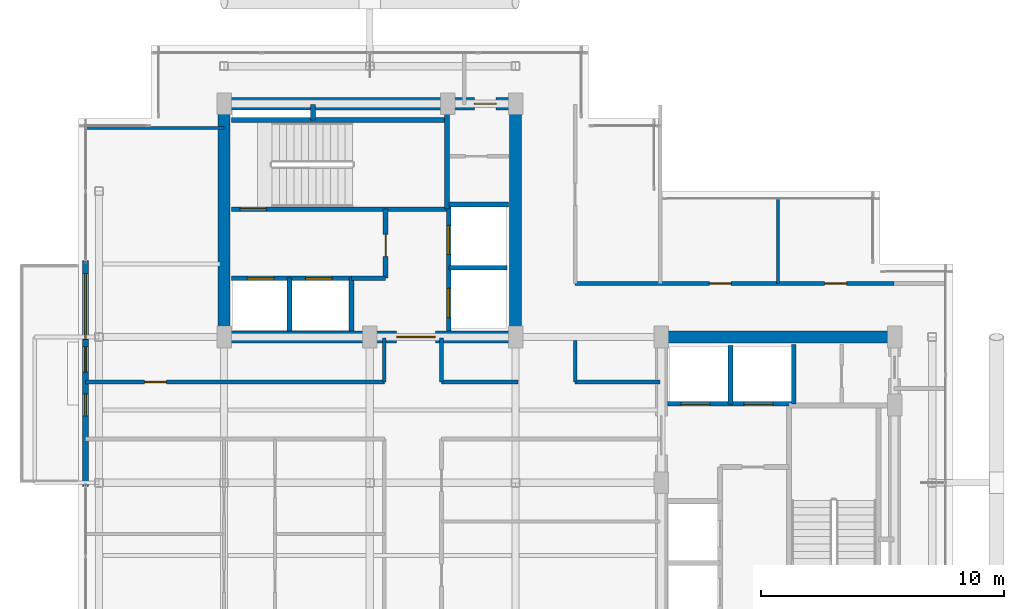
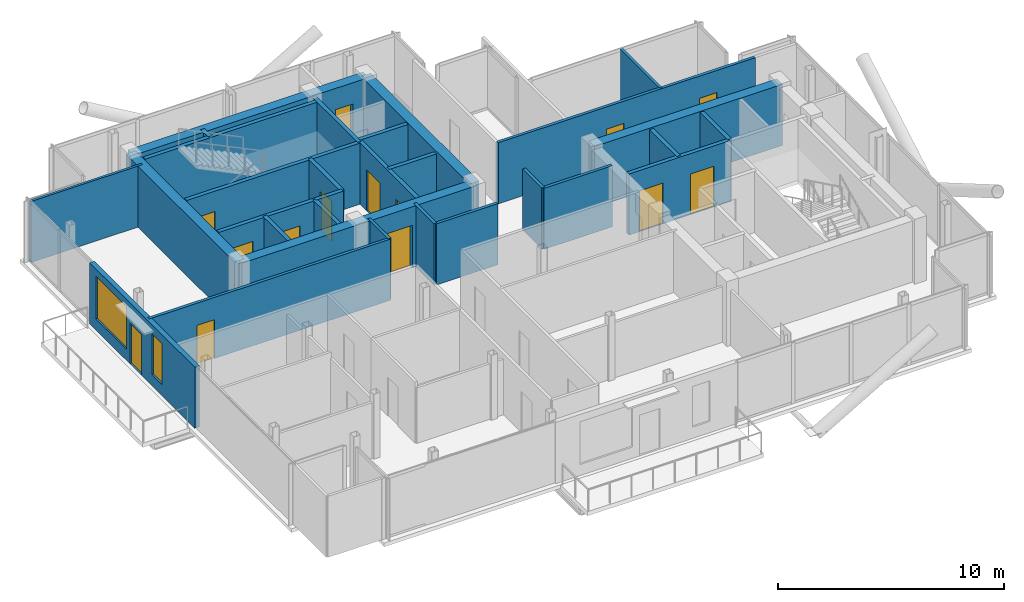
# One storey, part 15 of 18: 30 walls, 14 doors, 2 windows, 16 openings.
"""IFC4 building model written with IfcOpenShell, lengths in metres."""

from ifc_helpers import new_model, si_unit, direction, frame, frame_2d, origin, place, context, subcontext, project, spatial, rectangle, extrude, material, layer, layer_set, type_object, element, fill, save


model = new_model("IFC4")

# Units and contexts
model_context = context("Model", 3, precision=1e-05, world=origin(), true_north=direction((0.0, 1.0)))
body_context = subcontext(model_context, "Body", "Model", "MODEL_VIEW")
ifc_project = project(units=[si_unit("LENGTHUNIT", "METRE"), si_unit("AREAUNIT", "SQUARE_METRE"), si_unit("VOLUMEUNIT", "CUBIC_METRE"), si_unit("PLANEANGLEUNIT", "RADIAN"), si_unit("MASSUNIT", "GRAM", prefix="KILO"), si_unit("THERMODYNAMICTEMPERATUREUNIT", "KELVIN"), si_unit("POWERUNIT", "WATT")], contexts=[model_context])

# Site, building, storey
site_placement = place(None, origin())
site = spatial("IfcSite", under=ifc_project, at=site_placement, CompositionType="ELEMENT")
building_placement = place(site_placement, origin())
building = spatial("IfcBuilding", under=site, at=building_placement, Name="Svarakhadi Broadcast Tower", CompositionType="ELEMENT")
storey_placement = place(building_placement, frame((0.0, 0.0, 267.699951171875)))
storey = spatial("IfcBuildingStorey", under=building, at=storey_placement, Name="L67", CompositionType="ELEMENT", Elevation=267.699951171875)

# Wall, openings, door, windows
ifc_material_1 = material(Name="Concrete C40/50 (IS 456 M50)", Category="concrete")
ifc_layer_1 = layer(ifc_material_1, 0.239990234375)
ifc_layer_set_1 = layer_set([ifc_layer_1], Name="Concrete C40/50 (IS 456 M50)")
wall_type_1 = type_object("IfcWallType", Name="Wall_Ext_240", PredefinedType="SOLIDWALL", material=ifc_layer_set_1)
wall_1_placement = place(storey_placement, frame((0.300048828125, 11.85498046875, 0.0), z_axis=(0.0, 0.0, 1.0), x_axis=(0.0, 1.0, 0.0)))
wall_1 = element("IfcWall", 1, at=wall_1_placement, inside=storey, type_object=wall_type_1, Name="L67 West Tree Balcony Spandrel Wall", PredefinedType="SOLIDWALL", context=body_context, shape_type="SweptSolid", body=[
    extrude(rectangle(XDim=9.2900390625, YDim=0.239990234375, at=frame_2d((4.64501953125, 0.0))), origin(), (0.0, 0.0, 1.0), 3.300048828125),
])
opening_1_placement = place(wall_1_placement, frame((4.699951171875, 0.0, 0.0)))
opening_1 = element("IfcOpeningElement", 2, at=opening_1_placement, cuts=wall_1, Name="Opening ED-06", PredefinedType="OPENING", context=body_context, shape_type="SweptSolid", body=[
    extrude(rectangle(XDim=1.050048828125, YDim=2.199951171875, at=frame_2d((0.52490234375, 1.10009765625))), frame((0.0, 0.1298828125, 0.0), z_axis=(0.0, -1.0, 0.0), x_axis=(1.0, 0.0, 0.0)), (0.0, 0.0, 1.0), 0.260009765625),
])
opening_2_placement = place(wall_1_placement, frame((6.050048828125, 0.0, 0.60009765625)))
opening_2 = element("IfcOpeningElement", 3, at=opening_2_placement, cuts=wall_1, Name="Opening WN-07", PredefinedType="OPENING", context=body_context, shape_type="SweptSolid", body=[
    extrude(rectangle(XDim=2.699951171875, YDim=2.300048828125, at=frame_2d((1.35009765625, 1.14990234375))), frame((0.0, 0.1298828125, 0.0), z_axis=(0.0, -1.0, 0.0), x_axis=(1.0, 0.0, 0.0)), (0.0, 0.0, 1.0), 0.260009765625),
])
opening_3_placement = place(wall_1_placement, frame((2.89990234375, 0.0, 0.60009765625)))
opening_3 = element("IfcOpeningElement", 4, at=opening_3_placement, cuts=wall_1, Name="Opening WN-04", PredefinedType="OPENING", context=body_context, shape_type="SweptSolid", body=[
    extrude(rectangle(XDim=0.89990234375, YDim=2.199951171875, at=frame_2d((0.449951171875, 1.10009765625))), frame((0.0, 0.1298828125, 0.0), z_axis=(0.0, -1.0, 0.0), x_axis=(1.0, 0.0, 0.0)), (0.0, 0.0, 1.0), 0.260009765625),
])
ifc_material_2 = material(Name="Anodised Bronze Aluminium AA 6063-T6", Category="aluminium")
door_type_1 = type_object("IfcDoorType", Name="Door_Ext_ED06", OperationType="SINGLE_SWING_RIGHT", PredefinedType="DOOR", material=ifc_material_2)
door_1_placement = place(opening_1_placement, origin())
door_1 = element("IfcDoor", 5, at=door_1_placement, inside=storey, type_object=door_type_1, Name="L67 West Tree Balcony Door", OperationType="SINGLE_SWING_RIGHT", OverallHeight=2.199951171875, OverallWidth=1.050048828125, PredefinedType="DOOR", context=body_context, shape_type="SweptSolid", body=[
    extrude(rectangle(XDim=1.050048828125, YDim=2.199951171875, at=frame_2d((0.52490234375, 1.10009765625))), frame((0.0, 0.02490234375, 0.0), z_axis=(0.0, -1.0, 0.0), x_axis=(1.0, 0.0, 0.0)), (0.0, 0.0, 1.0), 0.050048828125),
])
fill(opening_1, door_1)
ifc_material_3 = material(Name="Double Low-E Laminated Acoustic Glass IGU 36 mm", Category="glass")
window_type_1 = type_object("IfcWindowType", Name="Win_Resi_WN07", PartitioningType="SINGLE_PANEL", PredefinedType="WINDOW", material=ifc_material_3)
window_1_placement = place(opening_2_placement, origin())
window_1 = element("IfcWindow", 6, at=window_1_placement, inside=storey, type_object=window_type_1, Name="L67 West Tree Balcony Window", OverallHeight=2.300048828125, OverallWidth=2.699951171875, PartitioningType="SINGLE_PANEL", PredefinedType="WINDOW", context=body_context, shape_type="SweptSolid", body=[
    extrude(rectangle(XDim=2.699951171875, YDim=2.300048828125, at=frame_2d((1.35009765625, 1.14990234375))), frame((0.0, 0.030029296875, 0.0), z_axis=(0.0, -1.0, 0.0), x_axis=(1.0, 0.0, 0.0)), (0.0, 0.0, 1.0), 0.06005859375),
])
fill(opening_2, window_1)
window_type_2 = type_object("IfcWindowType", Name="Win_Slot_WN04", PartitioningType="SINGLE_PANEL", PredefinedType="WINDOW", material=ifc_material_3)
window_2_placement = place(opening_3_placement, origin())
window_2 = element("IfcWindow", 7, at=window_2_placement, inside=storey, type_object=window_type_2, Name="L67 West Secondary Bedroom Slot Window", OverallHeight=2.199951171875, OverallWidth=0.89990234375, PartitioningType="SINGLE_PANEL", PredefinedType="WINDOW", context=body_context, shape_type="SweptSolid", body=[
    extrude(rectangle(XDim=0.89990234375, YDim=2.199951171875, at=frame_2d((0.449951171875, 1.10009765625))), frame((0.0, 0.030029296875, 0.0), z_axis=(0.0, -1.0, 0.0), x_axis=(1.0, 0.0, 0.0)), (0.0, 0.0, 1.0), 0.06005859375),
])
fill(opening_3, window_2)

# Walls
ifc_layer_2 = layer(ifc_material_1, 0.199951171875)
ifc_layer_set_2 = layer_set([ifc_layer_2], Name="Concrete C40/50 (IS 456 M50)")
wall_type_2 = type_object("IfcWallType", Name="Wall_Fire_200", PredefinedType="SOLIDWALL", material=ifc_layer_set_2)
wall_2_placement = place(storey_placement, frame((9.659912109375, 26.93994140625, 0.0), z_axis=(0.0, 0.0, 1.0), x_axis=(0.0, 1.0, 0.0)))
element("IfcWall", 8, at=wall_2_placement, inside=storey, type_object=wall_type_2, Name="L67 Wet Riser Shaft East Wall", PredefinedType="SOLIDWALL", context=body_context, shape_type="SweptSolid", body=[
    extrude(rectangle(XDim=0.64013671875, YDim=0.199951171875, at=frame_2d((0.320068359375, 0.0))), origin(), (0.0, 0.0, 1.0), 3.300048828125),
])
ifc_material_4 = material(Name="Fire-Rated Moisture-Resistant Gypsum Board Partition", Category="gypsum")
ifc_layer_3 = layer(ifc_material_4, 0.125)
ifc_layer_set_3 = layer_set([ifc_layer_3], Name="Fire-Rated Moisture-Resistant Gypsum Board Partition")
wall_type_3 = type_object("IfcWallType", Name="Wall_Part_125", PredefinedType="PARTITIONING", material=ifc_layer_set_3)
wall_3_placement = place(storey_placement, frame((28.800048828125, 20.199951171875, 0.0), z_axis=(0.0, 0.0, 1.0), x_axis=(0.0, 1.0, 0.0)))
element("IfcWall", 9, at=wall_3_placement, inside=storey, type_object=wall_type_3, Name="L67 Harbour Sky Club Reading Room Wall", PredefinedType="PARTITIONING", context=body_context, shape_type="SweptSolid", body=[
    extrude(rectangle(XDim=3.5, YDim=0.125, at=frame_2d((1.75, 0.0))), origin(), (0.0, 0.0, 1.0), 3.300048828125),
])
wall_4_placement = place(storey_placement, frame((0.300048828125, 26.60009765625, 0.0), z_axis=(0.0, 0.0, 1.0), x_axis=(1.0, 0.0, 0.0)))
element("IfcWall", 10, at=wall_4_placement, inside=storey, type_object=wall_type_3, Name="L67 Harbour Yoga and Meditation Salon Wall", PredefinedType="PARTITIONING", context=body_context, shape_type="SweptSolid", body=[
    extrude(rectangle(XDim=5.699951171875, YDim=0.125, at=frame_2d((2.85009765625, 0.0))), origin(), (0.0, 0.0, 1.0), 3.300048828125),
])

# Wall, opening, door
ifc_material_5 = material(Name="Autoclaved Aerated Concrete Blockwork 150 mm", Category="masonry")
ifc_layer_4 = layer(ifc_material_5, 0.14990234375)
ifc_layer_set_4 = layer_set([ifc_layer_4], Name="Autoclaved Aerated Concrete Blockwork 150 mm")
wall_type_4 = type_object("IfcWallType", Name="Wall_Part_150", PredefinedType="PARTITIONING", material=ifc_layer_set_4)
wall_5_placement = place(storey_placement, frame((0.300048828125, 16.14990234375, 0.0), z_axis=(0.0, 0.0, 1.0), x_axis=(1.0, 0.0, 0.0)))
wall_5 = element("IfcWall", 11, at=wall_5_placement, inside=storey, type_object=wall_type_4, Name="L67 Upper Tower Concourse Wall", PredefinedType="PARTITIONING", context=body_context, shape_type="SweptSolid", body=[
    extrude(rectangle(XDim=12.300048828125, YDim=0.14990234375, at=frame_2d((6.14990234375, 0.0))), origin(), (0.0, 0.0, 1.0), 3.300048828125),
])
opening_4_placement = place(wall_5_placement, frame((2.425048828125, 0.0, 0.0)))
opening_4 = element("IfcOpeningElement", 12, at=opening_4_placement, cuts=wall_5, Name="Opening D-14", PredefinedType="OPENING", context=body_context, shape_type="SweptSolid", body=[
    extrude(rectangle(XDim=0.89990234375, YDim=2.10009765625, at=frame_2d((0.449951171875, 1.050048828125))), frame((0.0, 0.0849609375, 0.0), z_axis=(0.0, -1.0, 0.0), x_axis=(1.0, 0.0, 0.0)), (0.0, 0.0, 1.0), 0.169921875),
])
ifc_material_6 = material(Name="Solid-Core Teak Veneer Acoustic Timber Leaf", Category="wood")
door_type_2 = type_object("IfcDoorType", Name="Door_Int_D14", OperationType="SINGLE_SWING_LEFT", PredefinedType="DOOR", material=ifc_material_6)
door_2_placement = place(opening_4_placement, origin())
door_2 = element("IfcDoor", 13, at=door_2_placement, inside=storey, type_object=door_type_2, Name="L67 Harbour Yoga and Meditation Salon Door", OperationType="SINGLE_SWING_LEFT", OverallHeight=2.10009765625, OverallWidth=0.89990234375, PredefinedType="DOOR", context=body_context, shape_type="SweptSolid", body=[
    extrude(rectangle(XDim=0.89990234375, YDim=2.10009765625, at=frame_2d((0.449951171875, 1.050048828125))), frame((0.0, 0.02490234375, 0.0), z_axis=(0.0, -1.0, 0.0), x_axis=(1.0, 0.0, 0.0)), (0.0, 0.0, 1.0), 0.050048828125),
])
fill(opening_4, door_2)

# Walls
for number, where, z_axis, x_axis, name in (
    (14, (12.60009765625, 16.14990234375, 0.0), (0.0, 0.0, 1.0), (0.0, 1.0, 0.0), "L67 Upper Tower Concourse Wall"),
    (15, (14.949951171875, 17.949951171875, 0.0), (0.0, 0.0, 1.0), (0.0, -1.0, 0.0), "L67 Upper Tower Concourse Wall"),
):
    element("IfcWall", number, at=place(storey_placement, frame(where, z_axis=z_axis, x_axis=x_axis)), inside=storey, type_object=wall_type_4, Name=name, PredefinedType="PARTITIONING", context=body_context, shape_type="SweptSolid", body=[
        extrude(rectangle(XDim=1.800048828125, YDim=0.14990234375, at=frame_2d((0.89990234375, 0.0))), origin(), (0.0, 0.0, 1.0), 3.300048828125),
    ])
wall_6_placement = place(storey_placement, frame((14.949951171875, 16.14990234375, 0.0), z_axis=(0.0, 0.0, 1.0), x_axis=(1.0, 0.0, 0.0)))
element("IfcWall", 16, at=wall_6_placement, inside=storey, type_object=wall_type_4, Name="L67 Upper Tower Concourse Wall", PredefinedType="PARTITIONING", context=body_context, shape_type="SweptSolid", body=[
    extrude(rectangle(XDim=3.150146484375, YDim=0.14990234375, at=frame_2d((1.5751953125, 0.0))), origin(), (0.0, 0.0, 1.0), 3.300048828125),
])

# Wall, openings, doors
wall_7_placement = place(storey_placement, frame((20.449951171875, 20.199951171875, 0.0), z_axis=(0.0, 0.0, 1.0), x_axis=(1.0, 0.0, 0.0)))
wall_7 = element("IfcWall", 17, at=wall_7_placement, inside=storey, type_object=wall_type_4, Name="L67 Upper Tower Concourse Wall", PredefinedType="PARTITIONING", context=body_context, shape_type="SweptSolid", body=[
    extrude(rectangle(XDim=13.130126953125, YDim=0.14990234375, at=frame_2d((6.56494140625, 0.0))), origin(), (0.0, 0.0, 1.0), 3.300048828125),
])
opening_5_placement = place(wall_7_placement, frame((5.52490234375, 0.0, 0.0)))
opening_5 = element("IfcOpeningElement", 18, at=opening_5_placement, cuts=wall_7, Name="Opening D-14", PredefinedType="OPENING", context=body_context, shape_type="SweptSolid", body=[
    extrude(rectangle(XDim=0.89990234375, YDim=2.10009765625, at=frame_2d((0.449951171875, 1.050048828125))), frame((0.0, 0.0849609375, 0.0), z_axis=(0.0, -1.0, 0.0), x_axis=(1.0, 0.0, 0.0)), (0.0, 0.0, 1.0), 0.169921875),
])
opening_6_placement = place(wall_7_placement, frame((10.27490234375, 0.0, 0.0)))
opening_6 = element("IfcOpeningElement", 19, at=opening_6_placement, cuts=wall_7, Name="Opening D-15", PredefinedType="OPENING", context=body_context, shape_type="SweptSolid", body=[
    extrude(rectangle(XDim=0.89990234375, YDim=2.10009765625, at=frame_2d((0.449951171875, 1.050048828125))), frame((0.0, 0.0849609375, 0.0), z_axis=(0.0, -1.0, 0.0), x_axis=(1.0, 0.0, 0.0)), (0.0, 0.0, 1.0), 0.169921875),
])
door_3_placement = place(opening_5_placement, origin())
door_3 = element("IfcDoor", 20, at=door_3_placement, inside=storey, type_object=door_type_2, Name="L67 Harbour Sky Club Reading Room Door", OperationType="SINGLE_SWING_LEFT", OverallHeight=2.10009765625, OverallWidth=0.89990234375, PredefinedType="DOOR", context=body_context, shape_type="SweptSolid", body=[
    extrude(rectangle(XDim=0.89990234375, YDim=2.10009765625, at=frame_2d((0.449951171875, 1.050048828125))), frame((0.0, 0.02490234375, 0.0), z_axis=(0.0, -1.0, 0.0), x_axis=(1.0, 0.0, 0.0)), (0.0, 0.0, 1.0), 0.050048828125),
])
fill(opening_5, door_3)
door_type_3 = type_object("IfcDoorType", Name="Door_Int_D15", OperationType="SINGLE_SWING_RIGHT", PredefinedType="DOOR", material=ifc_material_6)
door_4_placement = place(opening_6_placement, origin())
door_4 = element("IfcDoor", 21, at=door_4_placement, inside=storey, type_object=door_type_3, Name="L67 Private Sommelier Tasting Pantry Door", OperationType="SINGLE_SWING_RIGHT", OverallHeight=2.10009765625, OverallWidth=0.89990234375, PredefinedType="DOOR", context=body_context, shape_type="SweptSolid", body=[
    extrude(rectangle(XDim=0.89990234375, YDim=2.10009765625, at=frame_2d((0.449951171875, 1.050048828125))), frame((0.0, 0.02490234375, 0.0), z_axis=(0.0, -1.0, 0.0), x_axis=(1.0, 0.0, 0.0)), (0.0, 0.0, 1.0), 0.050048828125),
])
fill(opening_6, door_4)

# Walls
wall_8_placement = place(storey_placement, frame((20.449951171875, 17.85009765625, 0.0), z_axis=(0.0, 0.0, 1.0), x_axis=(0.0, -1.0, 0.0)))
element("IfcWall", 22, at=wall_8_placement, inside=storey, type_object=wall_type_4, Name="L67 Upper Tower Concourse Wall", PredefinedType="PARTITIONING", context=body_context, shape_type="SweptSolid", body=[
    extrude(rectangle(XDim=1.7001953125, YDim=0.14990234375, at=frame_2d((0.85009765625, 0.0))), origin(), (0.0, 0.0, 1.0), 3.300048828125),
])
wall_9_placement = place(storey_placement, frame((20.449951171875, 16.14990234375, 0.0), z_axis=(0.0, 0.0, 1.0), x_axis=(1.0, 0.0, 0.0)))
element("IfcWall", 23, at=wall_9_placement, inside=storey, type_object=wall_type_4, Name="L67 Upper Tower Concourse Wall", PredefinedType="PARTITIONING", context=body_context, shape_type="SweptSolid", body=[
    extrude(rectangle(XDim=3.5, YDim=0.14990234375, at=frame_2d((1.75, 0.0))), origin(), (0.0, 0.0, 1.0), 3.300048828125),
])

# Wall, opening, door
ifc_material_7 = material(Name="Concrete C50/60 (IS 456 M60)", Category="concrete")
ifc_layer_5 = layer(ifc_material_7, 0.199951171875)
ifc_layer_set_5 = layer_set([ifc_layer_5], Name="Concrete C50/60 (IS 456 M60)")
wall_type_5 = type_object("IfcWallType", Name="Wall_Shear_200", PredefinedType="SHEAR", material=ifc_layer_set_5)
wall_10_placement = place(storey_placement, frame((6.300048828125, 23.260009765625, 0.0), z_axis=(0.0, 0.0, 1.0), x_axis=(1.0, 0.0, 0.0)))
wall_10 = element("IfcWall", 24, at=wall_10_placement, inside=storey, type_object=wall_type_5, Name="L67 Stair ST-01 South RC Shaft Wall", PredefinedType="SHEAR", context=body_context, shape_type="SweptSolid", body=[
    extrude(rectangle(XDim=8.8798828125, YDim=0.199951171875, at=frame_2d((4.43994140625, 0.0))), origin(), (0.0, 0.0, 1.0), 3.300048828125),
])
opening_7_placement = place(wall_10_placement, frame((0.35009765625, 0.0, 0.0)))
opening_7 = element("IfcOpeningElement", 25, at=opening_7_placement, cuts=wall_10, Name="Opening D-01", PredefinedType="OPENING", context=body_context, shape_type="SweptSolid", body=[
    extrude(rectangle(XDim=1.10009765625, YDim=2.199951171875, at=frame_2d((0.550048828125, 1.10009765625))), frame((0.0, 0.10986328125, 0.0), z_axis=(0.0, -1.0, 0.0), x_axis=(1.0, 0.0, 0.0)), (0.0, 0.0, 1.0), 0.219970703125),
])
ifc_material_8 = material(Name="Galvanised Powder-Coated Fire-Rated Steel Leaf", Category="steel")
door_type_4 = type_object("IfcDoorType", Name="Door_Stair_D01", OperationType="SINGLE_SWING_LEFT", PredefinedType="DOOR", material=ifc_material_8)
door_5_placement = place(opening_7_placement, origin())
door_5 = element("IfcDoor", 26, at=door_5_placement, inside=storey, type_object=door_type_4, Name="L67 Protected Exit Stair ST-01 Fire Door", OperationType="SINGLE_SWING_LEFT", OverallHeight=2.199951171875, OverallWidth=1.10009765625, PredefinedType="DOOR", context=body_context, shape_type="SweptSolid", body=[
    extrude(rectangle(XDim=1.10009765625, YDim=2.199951171875, at=frame_2d((0.550048828125, 1.10009765625))), frame((0.0, 0.02490234375, 0.0), z_axis=(0.0, -1.0, 0.0), x_axis=(1.0, 0.0, 0.0)), (0.0, 0.0, 1.0), 0.050048828125),
])
fill(opening_7, door_5)

# Walls
wall_11_placement = place(storey_placement, frame((6.300048828125, 26.93994140625, 0.0), z_axis=(0.0, 0.0, 1.0), x_axis=(1.0, 0.0, 0.0)))
element("IfcWall", 27, at=wall_11_placement, inside=storey, type_object=wall_type_5, Name="L67 Stair ST-01 North RC Shaft Wall", PredefinedType="SHEAR", context=body_context, shape_type="SweptSolid", body=[
    extrude(rectangle(XDim=8.8798828125, YDim=0.199951171875, at=frame_2d((4.43994140625, 0.0))), origin(), (0.0, 0.0, 1.0), 3.300048828125),
])
wall_12_placement = place(storey_placement, frame((15.179931640625, 23.260009765625, 0.0), z_axis=(0.0, 0.0, 1.0), x_axis=(0.0, 1.0, 0.0)))
element("IfcWall", 28, at=wall_12_placement, inside=storey, type_object=wall_type_5, Name="L67 Stair ST-01 East RC Shaft Wall", PredefinedType="SHEAR", context=body_context, shape_type="SweptSolid", body=[
    extrude(rectangle(XDim=4.0400390625, YDim=0.199951171875, at=frame_2d((2.02001953125, 0.0))), origin(), (0.0, 0.0, 1.0), 3.300048828125),
])

# Wall, openings, doors
wall_13_placement = place(storey_placement, frame((6.300048828125, 20.419921875, 0.0), z_axis=(0.0, 0.0, 1.0), x_axis=(1.0, 0.0, 0.0)))
wall_13 = element("IfcWall", 29, at=wall_13_placement, inside=storey, type_object=wall_type_5, Name="L67 Firefighting Lift LF-01/02 Shaft Wall", PredefinedType="SHEAR", context=body_context, shape_type="SweptSolid", body=[
    extrude(rectangle(XDim=4.949951171875, YDim=0.199951171875, at=frame_2d((2.47509765625, 0.0))), origin(), (0.0, 0.0, 1.0), 3.300048828125),
])
opening_8_placement = place(wall_13_placement, frame((0.64990234375, 0.0, 0.0)))
opening_8 = element("IfcOpeningElement", 30, at=opening_8_placement, cuts=wall_13, Name="Opening LD-01", PredefinedType="OPENING", context=body_context, shape_type="SweptSolid", body=[
    extrude(rectangle(XDim=1.10009765625, YDim=2.199951171875, at=frame_2d((0.550048828125, 1.10009765625))), frame((0.0, 0.10986328125, 0.0), z_axis=(0.0, -1.0, 0.0), x_axis=(1.0, 0.0, 0.0)), (0.0, 0.0, 1.0), 0.219970703125),
])
opening_9_placement = place(wall_13_placement, frame((3.050048828125, 0.0, 0.0)))
opening_9 = element("IfcOpeningElement", 31, at=opening_9_placement, cuts=wall_13, Name="Opening LD-01", PredefinedType="OPENING", context=body_context, shape_type="SweptSolid", body=[
    extrude(rectangle(XDim=1.10009765625, YDim=2.199951171875, at=frame_2d((0.550048828125, 1.10009765625))), frame((0.0, 0.10986328125, 0.0), z_axis=(0.0, -1.0, 0.0), x_axis=(1.0, 0.0, 0.0)), (0.0, 0.0, 1.0), 0.219970703125),
])
door_type_5 = type_object("IfcDoorType", Name="Door_Lift_LD01", OperationType="SLIDING_TO_LEFT", PredefinedType="DOOR", material=ifc_material_8)
door_6_placement = place(opening_8_placement, origin())
door_6 = element("IfcDoor", 32, at=door_6_placement, inside=storey, type_object=door_type_5, Name="L67 Firefighting Lift LF-01 Landing Door", OperationType="SLIDING_TO_LEFT", OverallHeight=2.199951171875, OverallWidth=1.10009765625, PredefinedType="DOOR", context=body_context, shape_type="SweptSolid", body=[
    extrude(rectangle(XDim=1.10009765625, YDim=2.199951171875, at=frame_2d((0.550048828125, 1.10009765625))), frame((0.0, 0.02490234375, 0.0), z_axis=(0.0, -1.0, 0.0), x_axis=(1.0, 0.0, 0.0)), (0.0, 0.0, 1.0), 0.050048828125),
])
fill(opening_8, door_6)
door_7_placement = place(opening_9_placement, origin())
door_7 = element("IfcDoor", 33, at=door_7_placement, inside=storey, type_object=door_type_5, Name="L67 Firefighting Lift LF-02 Landing Door", OperationType="SLIDING_TO_LEFT", OverallHeight=2.199951171875, OverallWidth=1.10009765625, PredefinedType="DOOR", context=body_context, shape_type="SweptSolid", body=[
    extrude(rectangle(XDim=1.10009765625, YDim=2.199951171875, at=frame_2d((0.550048828125, 1.10009765625))), frame((0.0, 0.02490234375, 0.0), z_axis=(0.0, -1.0, 0.0), x_axis=(1.0, 0.0, 0.0)), (0.0, 0.0, 1.0), 0.050048828125),
])
fill(opening_9, door_7)

# Walls
for number, where, z_axis, x_axis, name in (
    (34, (8.699951171875, 18.25, 0.0), (0.0, 0.0, 1.0), (0.0, 1.0, 0.0), "L67 Firefighting Lift LF-01/02 Divider Wall"),
    (35, (11.25, 18.25, 0.0), (0.0, 0.0, 1.0), (0.0, 1.0, 0.0), "L67 Firefighting Lift LF-02 East Wall"),
):
    element("IfcWall", number, at=place(storey_placement, frame(where, z_axis=z_axis, x_axis=x_axis)), inside=storey, type_object=wall_type_5, Name=name, PredefinedType="SHEAR", context=body_context, shape_type="SweptSolid", body=[
        extrude(rectangle(XDim=2.169921875, YDim=0.199951171875, at=frame_2d((1.0849609375, 0.0))), origin(), (0.0, 0.0, 1.0), 3.300048828125),
    ])
wall_14_placement = place(storey_placement, frame((11.25, 20.419921875, 0.0), z_axis=(0.0, 0.0, 1.0), x_axis=(1.0, 0.0, 0.0)))
element("IfcWall", 36, at=wall_14_placement, inside=storey, type_object=wall_type_5, Name="L67 West Firefighting Lobby South Wall", PredefinedType="SHEAR", context=body_context, shape_type="SweptSolid", body=[
    extrude(rectangle(XDim=1.39990234375, YDim=0.199951171875, at=frame_2d((0.699951171875, 0.0))), origin(), (0.0, 0.0, 1.0), 3.300048828125),
])

# Wall, opening, door
wall_15_placement = place(storey_placement, frame((12.64990234375, 20.419921875, 0.0), z_axis=(0.0, 0.0, 1.0), x_axis=(0.0, 1.0, 0.0)))
wall_15 = element("IfcWall", 37, at=wall_15_placement, inside=storey, type_object=wall_type_5, Name="L67 West Firefighting Lobby East Wall", PredefinedType="SHEAR", context=body_context, shape_type="SweptSolid", body=[
    extrude(rectangle(XDim=2.840087890625, YDim=0.199951171875, at=frame_2d((1.419921875, 0.0))), origin(), (0.0, 0.0, 1.0), 3.300048828125),
])
opening_10_placement = place(wall_15_placement, frame((0.89990234375, 0.0, 0.0)))
opening_10 = element("IfcOpeningElement", 38, at=opening_10_placement, cuts=wall_15, Name="Opening D-04", PredefinedType="OPENING", context=body_context, shape_type="SweptSolid", body=[
    extrude(rectangle(XDim=0.89990234375, YDim=2.14990234375, at=frame_2d((0.449951171875, 1.074951171875))), frame((0.0, 0.10986328125, 0.0), z_axis=(0.0, -1.0, 0.0), x_axis=(1.0, 0.0, 0.0)), (0.0, 0.0, 1.0), 0.219970703125),
])
door_type_6 = type_object("IfcDoorType", Name="Door_Fire_D04", OperationType="SINGLE_SWING_RIGHT", PredefinedType="DOOR", material=ifc_material_8)
door_8_placement = place(opening_10_placement, origin())
door_8 = element("IfcDoor", 39, at=door_8_placement, inside=storey, type_object=door_type_6, Name="L67 West Firefighting Lobby Fire Door", OperationType="SINGLE_SWING_RIGHT", OverallHeight=2.14990234375, OverallWidth=0.89990234375, PredefinedType="DOOR", context=body_context, shape_type="SweptSolid", body=[
    extrude(rectangle(XDim=0.89990234375, YDim=2.14990234375, at=frame_2d((0.449951171875, 1.074951171875))), frame((0.0, 0.02490234375, 0.0), z_axis=(0.0, -1.0, 0.0), x_axis=(1.0, 0.0, 0.0)), (0.0, 0.0, 1.0), 0.050048828125),
])
fill(opening_10, door_8)

# Wall, openings, doors
wall_16_placement = place(storey_placement, frame((15.25, 18.25, 0.0), z_axis=(0.0, 0.0, 1.0), x_axis=(0.0, 1.0, 0.0)))
wall_16 = element("IfcWall", 40, at=wall_16_placement, inside=storey, type_object=wall_type_5, Name="L67 High-Rise Lift LF-13/14 West Shaft Wall", PredefinedType="SHEAR", context=body_context, shape_type="SweptSolid", body=[
    extrude(rectangle(XDim=5.199951171875, YDim=0.199951171875, at=frame_2d((2.60009765625, 0.0))), origin(), (0.0, 0.0, 1.0), 3.300048828125),
])
opening_11_placement = place(wall_16_placement, frame((0.550048828125, 0.0, 0.0)))
opening_11 = element("IfcOpeningElement", 41, at=opening_11_placement, cuts=wall_16, Name="Opening LD-02", PredefinedType="OPENING", context=body_context, shape_type="SweptSolid", body=[
    extrude(rectangle(XDim=1.199951171875, YDim=2.199951171875, at=frame_2d((0.60009765625, 1.10009765625))), frame((0.0, 0.10986328125, 0.0), z_axis=(0.0, -1.0, 0.0), x_axis=(1.0, 0.0, 0.0)), (0.0, 0.0, 1.0), 0.219970703125),
])
opening_12_placement = place(wall_16_placement, frame((3.14990234375, 0.0, 0.0)))
opening_12 = element("IfcOpeningElement", 42, at=opening_12_placement, cuts=wall_16, Name="Opening LD-02", PredefinedType="OPENING", context=body_context, shape_type="SweptSolid", body=[
    extrude(rectangle(XDim=1.199951171875, YDim=2.199951171875, at=frame_2d((0.60009765625, 1.10009765625))), frame((0.0, 0.10986328125, 0.0), z_axis=(0.0, -1.0, 0.0), x_axis=(1.0, 0.0, 0.0)), (0.0, 0.0, 1.0), 0.219970703125),
])
door_type_7 = type_object("IfcDoorType", Name="Door_Lift_LD02", OperationType="SLIDING_TO_RIGHT", PredefinedType="DOOR", material=ifc_material_8)
door_9_placement = place(opening_11_placement, origin())
door_9 = element("IfcDoor", 43, at=door_9_placement, inside=storey, type_object=door_type_7, Name="L67 High-Rise Lift LF-13 Landing Door", OperationType="SLIDING_TO_RIGHT", OverallHeight=2.199951171875, OverallWidth=1.199951171875, PredefinedType="DOOR", context=body_context, shape_type="SweptSolid", body=[
    extrude(rectangle(XDim=1.199951171875, YDim=2.199951171875, at=frame_2d((0.60009765625, 1.10009765625))), frame((0.0, 0.02490234375, 0.0), z_axis=(0.0, -1.0, 0.0), x_axis=(1.0, 0.0, 0.0)), (0.0, 0.0, 1.0), 0.050048828125),
])
fill(opening_11, door_9)
door_10_placement = place(opening_12_placement, origin())
door_10 = element("IfcDoor", 44, at=door_10_placement, inside=storey, type_object=door_type_7, Name="L67 High-Rise Lift LF-14 Landing Door", OperationType="SLIDING_TO_RIGHT", OverallHeight=2.199951171875, OverallWidth=1.199951171875, PredefinedType="DOOR", context=body_context, shape_type="SweptSolid", body=[
    extrude(rectangle(XDim=1.199951171875, YDim=2.199951171875, at=frame_2d((0.60009765625, 1.10009765625))), frame((0.0, 0.02490234375, 0.0), z_axis=(0.0, -1.0, 0.0), x_axis=(1.0, 0.0, 0.0)), (0.0, 0.0, 1.0), 0.050048828125),
])
fill(opening_12, door_10)

# Walls
wall_17_placement = place(storey_placement, frame((15.25, 20.85009765625, 0.0), z_axis=(0.0, 0.0, 1.0), x_axis=(1.0, 0.0, 0.0)))
element("IfcWall", 45, at=wall_17_placement, inside=storey, type_object=wall_type_5, Name="L67 High-Rise Lift LF-13/14 Divider", PredefinedType="SHEAR", context=body_context, shape_type="SweptSolid", body=[
    extrude(rectangle(XDim=2.39990234375, YDim=0.199951171875, at=frame_2d((1.199951171875, 0.0))), origin(), (0.0, 0.0, 1.0), 3.300048828125),
])
wall_18_placement = place(storey_placement, frame((15.25, 23.449951171875, 0.0), z_axis=(0.0, 0.0, 1.0), x_axis=(1.0, 0.0, 0.0)))
element("IfcWall", 46, at=wall_18_placement, inside=storey, type_object=wall_type_5, Name="L67 High-Rise Lift LF-13/14 North Wall", PredefinedType="SHEAR", context=body_context, shape_type="SweptSolid", body=[
    extrude(rectangle(XDim=2.449951171875, YDim=0.199951171875, at=frame_2d((1.22509765625, 0.0))), origin(), (0.0, 0.0, 1.0), 3.300048828125),
])

# Wall, openings, doors
wall_19_placement = place(storey_placement, frame((24.25, 15.25, 0.0), z_axis=(0.0, 0.0, 1.0), x_axis=(1.0, 0.0, 0.0)))
wall_19 = element("IfcWall", 47, at=wall_19_placement, inside=storey, type_object=wall_type_5, Name="L67 High-Rise Lift LF-15/16 South Shaft Wall", PredefinedType="SHEAR", context=body_context, shape_type="SweptSolid", body=[
    extrude(rectangle(XDim=5.199951171875, YDim=0.199951171875, at=frame_2d((2.60009765625, 0.0))), origin(), (0.0, 0.0, 1.0), 3.300048828125),
])
opening_13_placement = place(wall_19_placement, frame((0.550048828125, 0.0, 0.0)))
opening_13 = element("IfcOpeningElement", 48, at=opening_13_placement, cuts=wall_19, Name="Opening LD-02", PredefinedType="OPENING", context=body_context, shape_type="SweptSolid", body=[
    extrude(rectangle(XDim=1.199951171875, YDim=2.199951171875, at=frame_2d((0.60009765625, 1.10009765625))), frame((0.0, 0.10986328125, 0.0), z_axis=(0.0, -1.0, 0.0), x_axis=(1.0, 0.0, 0.0)), (0.0, 0.0, 1.0), 0.219970703125),
])
opening_14_placement = place(wall_19_placement, frame((3.14990234375, 0.0, 0.0)))
opening_14 = element("IfcOpeningElement", 49, at=opening_14_placement, cuts=wall_19, Name="Opening LD-02", PredefinedType="OPENING", context=body_context, shape_type="SweptSolid", body=[
    extrude(rectangle(XDim=1.199951171875, YDim=2.199951171875, at=frame_2d((0.60009765625, 1.10009765625))), frame((0.0, 0.10986328125, 0.0), z_axis=(0.0, -1.0, 0.0), x_axis=(1.0, 0.0, 0.0)), (0.0, 0.0, 1.0), 0.219970703125),
])
door_11_placement = place(opening_13_placement, origin())
door_11 = element("IfcDoor", 50, at=door_11_placement, inside=storey, type_object=door_type_7, Name="L67 High-Rise Lift LF-15 Landing Door", OperationType="SLIDING_TO_RIGHT", OverallHeight=2.199951171875, OverallWidth=1.199951171875, PredefinedType="DOOR", context=body_context, shape_type="SweptSolid", body=[
    extrude(rectangle(XDim=1.199951171875, YDim=2.199951171875, at=frame_2d((0.60009765625, 1.10009765625))), frame((0.0, 0.02490234375, 0.0), z_axis=(0.0, -1.0, 0.0), x_axis=(1.0, 0.0, 0.0)), (0.0, 0.0, 1.0), 0.050048828125),
])
fill(opening_13, door_11)
door_12_placement = place(opening_14_placement, origin())
door_12 = element("IfcDoor", 51, at=door_12_placement, inside=storey, type_object=door_type_7, Name="L67 High-Rise Lift LF-16 Landing Door", OperationType="SLIDING_TO_RIGHT", OverallHeight=2.199951171875, OverallWidth=1.199951171875, PredefinedType="DOOR", context=body_context, shape_type="SweptSolid", body=[
    extrude(rectangle(XDim=1.199951171875, YDim=2.199951171875, at=frame_2d((0.60009765625, 1.10009765625))), frame((0.0, 0.02490234375, 0.0), z_axis=(0.0, -1.0, 0.0), x_axis=(1.0, 0.0, 0.0)), (0.0, 0.0, 1.0), 0.050048828125),
])
fill(opening_14, door_12)

# Walls
wall_20_placement = place(storey_placement, frame((26.85009765625, 15.25, 0.0), z_axis=(0.0, 0.0, 1.0), x_axis=(0.0, 1.0, 0.0)))
element("IfcWall", 52, at=wall_20_placement, inside=storey, type_object=wall_type_5, Name="L67 High-Rise Lift LF-15/16 Divider", PredefinedType="SHEAR", context=body_context, shape_type="SweptSolid", body=[
    extrude(rectangle(XDim=2.39990234375, YDim=0.199951171875, at=frame_2d((1.199951171875, 0.0))), origin(), (0.0, 0.0, 1.0), 3.300048828125),
])
wall_21_placement = place(storey_placement, frame((29.449951171875, 15.25, 0.0), z_axis=(0.0, 0.0, 1.0), x_axis=(0.0, 1.0, 0.0)))
element("IfcWall", 53, at=wall_21_placement, inside=storey, type_object=wall_type_5, Name="L67 High-Rise Lift LF-15/16 East Wall", PredefinedType="SHEAR", context=body_context, shape_type="SweptSolid", body=[
    extrude(rectangle(XDim=2.449951171875, YDim=0.199951171875, at=frame_2d((1.22509765625, 0.0))), origin(), (0.0, 0.0, 1.0), 3.300048828125),
])

# Wall, opening, door
ifc_layer_6 = layer(ifc_material_7, 0.5)
ifc_layer_set_6 = layer_set([ifc_layer_6], Name="Concrete C50/60 (IS 456 M60)")
wall_type_6 = type_object("IfcWallType", Name="Wall_Shear_500", PredefinedType="SHEAR", material=ifc_layer_set_6)
wall_22_placement = place(storey_placement, frame((6.0, 18.0, 0.0), z_axis=(0.0, 0.0, 1.0), x_axis=(1.0, 0.0, 0.0)))
wall_22 = element("IfcWall", 54, at=wall_22_placement, inside=storey, type_object=wall_type_6, Name="L67 West Core South Shear Wall", PredefinedType="SHEAR", context=body_context, shape_type="SweptSolid", body=[
    extrude(rectangle(XDim=12.0, YDim=0.5, at=frame_2d((6.0, 0.0))), origin(), (0.0, 0.0, 1.0), 3.300048828125),
])
opening_15_placement = place(wall_22_placement, frame((7.10009765625, 0.0, 0.0)))
opening_15 = element("IfcOpeningElement", 55, at=opening_15_placement, cuts=wall_22, Name="Opening D-05", PredefinedType="OPENING", context=body_context, shape_type="SweptSolid", body=[
    extrude(rectangle(XDim=1.60009765625, YDim=2.300048828125, at=frame_2d((0.800048828125, 1.14990234375))), frame((0.0, 0.260009765625, 0.0), z_axis=(0.0, -1.0, 0.0), x_axis=(1.0, 0.0, 0.0)), (0.0, 0.0, 1.0), 0.52001953125),
])
door_type_8 = type_object("IfcDoorType", Name="Door_Lobby_D05", OperationType="DOUBLE_DOOR_SLIDING", PredefinedType="DOOR", material=ifc_material_2)
door_13_placement = place(opening_15_placement, origin())
door_13 = element("IfcDoor", 56, at=door_13_placement, inside=storey, type_object=door_type_8, Name="L67 West Core Passenger Lift Lobby Entrance Door", OperationType="DOUBLE_DOOR_SLIDING", OverallHeight=2.300048828125, OverallWidth=1.60009765625, PredefinedType="DOOR", context=body_context, shape_type="SweptSolid", body=[
    extrude(rectangle(XDim=1.60009765625, YDim=2.300048828125, at=frame_2d((0.800048828125, 1.14990234375))), frame((0.0, 0.02490234375, 0.0), z_axis=(0.0, -1.0, 0.0), x_axis=(1.0, 0.0, 0.0)), (0.0, 0.0, 1.0), 0.050048828125),
])
fill(opening_15, door_13)

wall_23_placement = place(storey_placement, frame((6.0, 27.60009765625, 0.0), z_axis=(0.0, 0.0, 1.0), x_axis=(1.0, 0.0, 0.0)))
wall_23 = element("IfcWall", 57, at=wall_23_placement, inside=storey, type_object=wall_type_6, Name="L67 West Core North Shear Wall", PredefinedType="SHEAR", context=body_context, shape_type="SweptSolid", body=[
    extrude(rectangle(XDim=12.0, YDim=0.5, at=frame_2d((6.0, 0.0))), origin(), (0.0, 0.0, 1.0), 3.300048828125),
])
opening_16_placement = place(wall_23_placement, frame((10.300048828125, 0.0, 0.0)))
opening_16 = element("IfcOpeningElement", 58, at=opening_16_placement, cuts=wall_23, Name="Opening D-03", PredefinedType="OPENING", context=body_context, shape_type="SweptSolid", body=[
    extrude(rectangle(XDim=0.89990234375, YDim=2.14990234375, at=frame_2d((0.449951171875, 1.074951171875))), frame((0.0, 0.260009765625, 0.0), z_axis=(0.0, -1.0, 0.0), x_axis=(1.0, 0.0, 0.0)), (0.0, 0.0, 1.0), 0.52001953125),
])
door_type_9 = type_object("IfcDoorType", Name="Door_Fire_D03", OperationType="SINGLE_SWING_LEFT", PredefinedType="DOOR", material=ifc_material_8)
door_14_placement = place(opening_16_placement, origin())
door_14 = element("IfcDoor", 59, at=door_14_placement, inside=storey, type_object=door_type_9, Name="L67 West Core Store A Door", OperationType="SINGLE_SWING_LEFT", OverallHeight=2.14990234375, OverallWidth=0.89990234375, PredefinedType="DOOR", context=body_context, shape_type="SweptSolid", body=[
    extrude(rectangle(XDim=0.89990234375, YDim=2.14990234375, at=frame_2d((0.449951171875, 1.074951171875))), frame((0.0, 0.02490234375, 0.0), z_axis=(0.0, -1.0, 0.0), x_axis=(1.0, 0.0, 0.0)), (0.0, 0.0, 1.0), 0.050048828125),
])
fill(opening_16, door_14)

# Walls
for number, where, z_axis, x_axis, name in (
    (60, (6.0, 18.0, 0.0), (0.0, 0.0, 1.0), (0.0, 1.0, 0.0), "L67 West Core West Shear Wall"),
    (61, (18.0, 18.0, 0.0), (0.0, 0.0, 1.0), (0.0, 1.0, 0.0), "L67 West Core East Shear Wall"),
    (62, (24.0, 18.0, 0.0), (0.0, 0.0, 1.0), (1.0, 0.0, 0.0), "L67 East Core North Shear Wall"),
):
    element("IfcWall", number, at=place(storey_placement, frame(where, z_axis=z_axis, x_axis=x_axis)), inside=storey, type_object=wall_type_6, Name=name, PredefinedType="SHEAR", context=body_context, shape_type="SweptSolid", body=[
        extrude(rectangle(XDim=9.60009765625, YDim=0.5, at=frame_2d((4.800048828125, 0.0))), origin(), (0.0, 0.0, 1.0), 3.300048828125),
    ])

save(model, "model.ifc")
